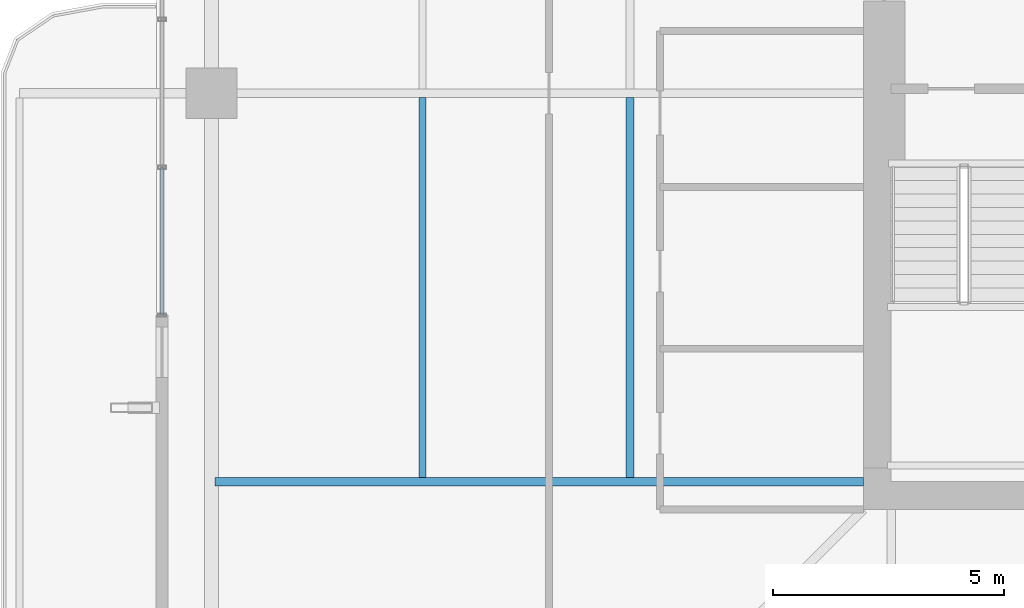
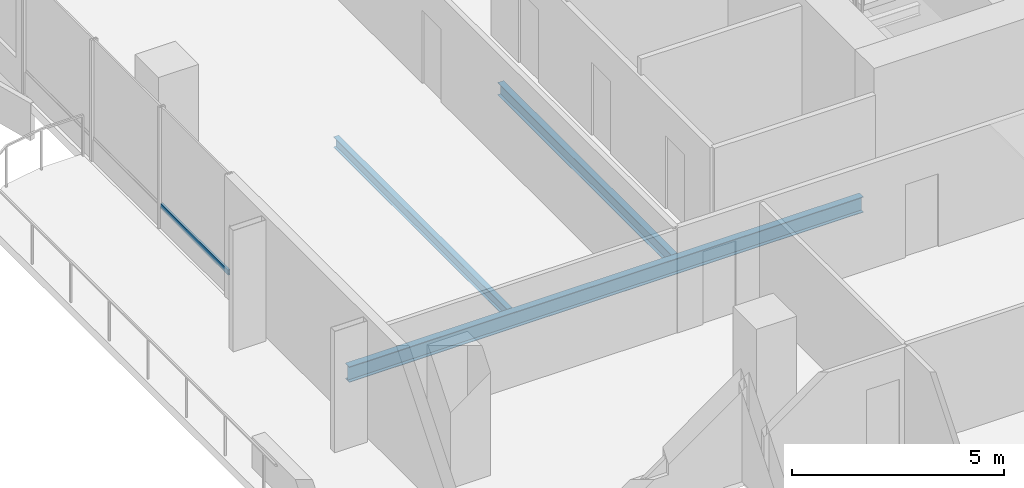
# One storey, part 5 of 25: 3 beams, 1 member, 1 element without a shape of its own.
"""IFC4 building model written with IfcOpenShell, lengths in metres."""

from ifc_helpers import new_model, si_unit, direction, frame, origin, origin_2d, place, context, subcontext, project, spatial, hollow_rectangle, i_section, extrude, material, layer, layer_set, material_profile, profile_set, type_object, element, aggregate, save


model = new_model("IFC4")

# Units and contexts
model_context = context("Model", 3, precision=1e-05, world=origin(), true_north=direction((0.0, 1.0)))
body_context = subcontext(model_context, "Body", "Model", "MODEL_VIEW")
ifc_project = project(units=[si_unit("LENGTHUNIT", "METRE"), si_unit("AREAUNIT", "SQUARE_METRE"), si_unit("VOLUMEUNIT", "CUBIC_METRE"), si_unit("PLANEANGLEUNIT", "RADIAN"), si_unit("MASSUNIT", "GRAM", prefix="KILO")], contexts=[model_context])

# Site, building, storey
site_placement = place(None, origin())
site = spatial("IfcSite", under=ifc_project, at=site_placement, CompositionType="ELEMENT")
building_placement = place(site_placement, origin())
building = spatial("IfcBuilding", under=site, at=building_placement, Name="Belovzor Exchange Tower", CompositionType="ELEMENT")
storey_placement = place(building_placement, frame((0.0, 0.0, 187.050048828125)))
storey = spatial("IfcBuildingStorey", under=building, at=storey_placement, Name="L46", CompositionType="ELEMENT", Elevation=187.050048828125)

# Beams
ifc_material_1 = material(Name="Steel S355", Category="steel")
ifc_material_profile_1 = material_profile(ifc_material_1, i_section(OverallWidth=0.169921875, OverallDepth=0.360107421875, WebThickness=0.008056640625, FlangeThickness=0.0126953125, at=origin_2d()))
ifc_profile_set_1 = profile_set([ifc_material_profile_1], Name="Steel S355")
beam_type_1 = type_object("IfcBeamType", Name="Secondary Infill Floor Joist IPE 360", PredefinedType="BEAM", material=ifc_profile_set_1)
beam_1_placement = place(storey_placement, frame((14.7509765625, 20.4951171875, -0.43505859375), z_axis=(0.0, 1.0, 0.0), x_axis=(-1.0, 0.0, 0.0)))
element("IfcBeam", 1, at=beam_1_placement, inside=storey, type_object=beam_type_1, Name="FJ-360 Secondary Infill Floor Joist IPE 360", PredefinedType="BEAM", context=body_context, shape_type="SweptSolid", body=[
    extrude(i_section(OverallWidth=0.169921875, OverallDepth=0.360107421875, WebThickness=0.008056640625, FlangeThickness=0.0126953125, at=origin_2d()), origin(), (0.0, 0.0, 1.0), 8.2099609375),
])
ifc_material_2 = material(Name="Steel S355", Category="steel")
ifc_material_profile_2 = material_profile(ifc_material_2, i_section(OverallWidth=0.14990234375, OverallDepth=0.300048828125, WebThickness=0.007080078125, FlangeThickness=0.0107421875, at=origin_2d()))
ifc_profile_set_2 = profile_set([ifc_material_profile_2], Name="Steel S355")
beam_type_2 = type_object("IfcBeamType", Name="Secondary Trim Floor Joist IPE 300", PredefinedType="BEAM", material=ifc_profile_set_2)
beam_2_placement = place(storey_placement, frame((10.262939453125, 20.4951171875, -0.405029296875), z_axis=(0.0, 1.0, 0.0), x_axis=(-1.0, 0.0, 0.0)))
element("IfcBeam", 2, at=beam_2_placement, inside=storey, type_object=beam_type_2, Name="FJ-300 Secondary Trim Floor Joist IPE 300", PredefinedType="BEAM", context=body_context, shape_type="SweptSolid", body=[
    extrude(i_section(OverallWidth=0.14990234375, OverallDepth=0.300048828125, WebThickness=0.007080078125, FlangeThickness=0.0107421875, at=origin_2d()), origin(), (0.0, 0.0, 1.0), 8.2099609375),
])

# Curtain wall, member
ifc_material_3 = material(Name="Anodised Aluminium Framing", Category="aluminium")
ifc_layer = layer(ifc_material_3, 0.179931640625)
ifc_layer_set = layer_set([ifc_layer], Name="Anodised Aluminium Framing")
curtain_wall_type = type_object("IfcCurtainWallType", Name="Recessed Loggia Low-Iron Triple-Glazed Curtain Wall", PredefinedType="NOTDEFINED", material=ifc_layer_set)
curtain_wall_placement = place(storey_placement, origin())
curtain_wall = element("IfcCurtainWall", 3, at=curtain_wall_placement, inside=storey, type_object=curtain_wall_type, Name="CW3 Recessed Loggia Low-Iron Triple-Glazed Curtain Wall L46", PredefinedType="NOTDEFINED")
ifc_material_4 = material(Name="Steel S355", Category="steel")
ifc_material_profile_3 = material_profile(ifc_material_4, hollow_rectangle(XDim=0.06005859375, YDim=0.14990234375, WallThickness=0.00390625, at=origin_2d()))
ifc_profile_set_3 = profile_set([ifc_material_profile_3], Name="Steel S355")
member_type = type_object("IfcMemberType", Name="Thermally Broken Curtain Wall Transom 150x60", PredefinedType="USERDEFINED", material=ifc_profile_set_3)
member_placement = place(storey_placement, frame((4.6298828125, 24.008056640625, 0.62890625), z_axis=(0.0, 1.0, 0.0), x_axis=(-1.0, 0.0, 0.0)))
member = element("IfcMember", 4, at=member_placement, type_object=member_type, Name="CW-T150 Curtain Wall Transom 1", ObjectType="TRANSOM", PredefinedType="USERDEFINED", context=body_context, shape_type="SweptSolid", body=[
    extrude(hollow_rectangle(XDim=0.06005859375, YDim=0.14990234375, WallThickness=0.00390625, at=origin_2d()), origin(), (0.0, 0.0, 1.0), 3.183837890625),
])
aggregate(curtain_wall, [member])

# Beam
ifc_material_5 = material(Name="Steel S355", Category="steel")
ifc_material_profile_4 = material_profile(ifc_material_5, i_section(OverallWidth=0.18994140625, OverallDepth=0.449951171875, WebThickness=0.009521484375, FlangeThickness=0.0146484375, at=origin_2d()))
ifc_profile_set_4 = profile_set([ifc_material_profile_4], Name="Steel S355")
beam_type_3 = type_object("IfcBeamType", Name="Zone 2-4 Radial Composite Floor Beam IPE 450", PredefinedType="BEAM", material=ifc_profile_set_4)
beam_3_placement = place(storey_placement, frame((19.800048828125, 20.39990234375, -0.47998046875), z_axis=(-1.0, 0.0, 0.0), x_axis=(0.0, -1.0, 0.0)))
element("IfcBeam", 5, at=beam_3_placement, inside=storey, type_object=beam_type_3, Name="FB-450 Zone 2-4 Radial Composite Floor Beam IPE 450", PredefinedType="BEAM", context=body_context, shape_type="SweptSolid", body=[
    extrude(i_section(OverallWidth=0.18994140625, OverallDepth=0.449951171875, WebThickness=0.009521484375, FlangeThickness=0.0146484375, at=origin_2d()), origin(), (0.0, 0.0, 1.0), 14.025146484375),
])

save(model, "model.ifc")
